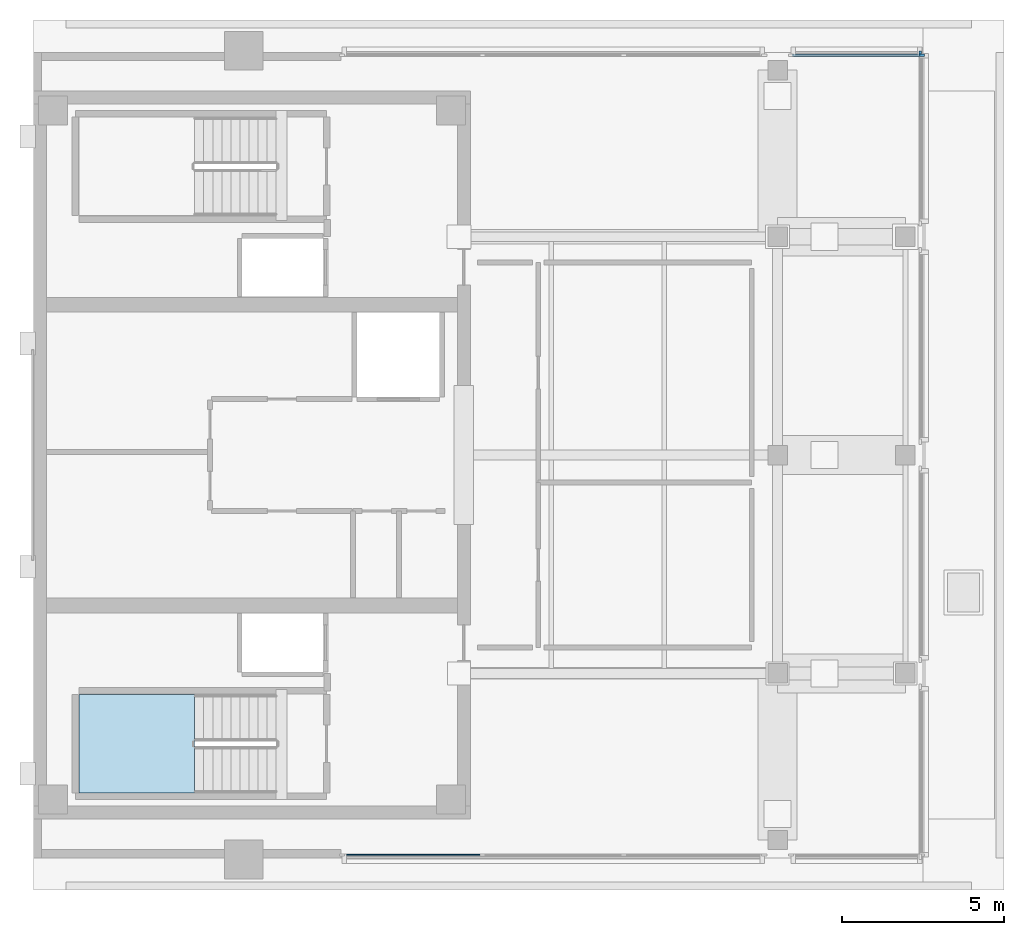
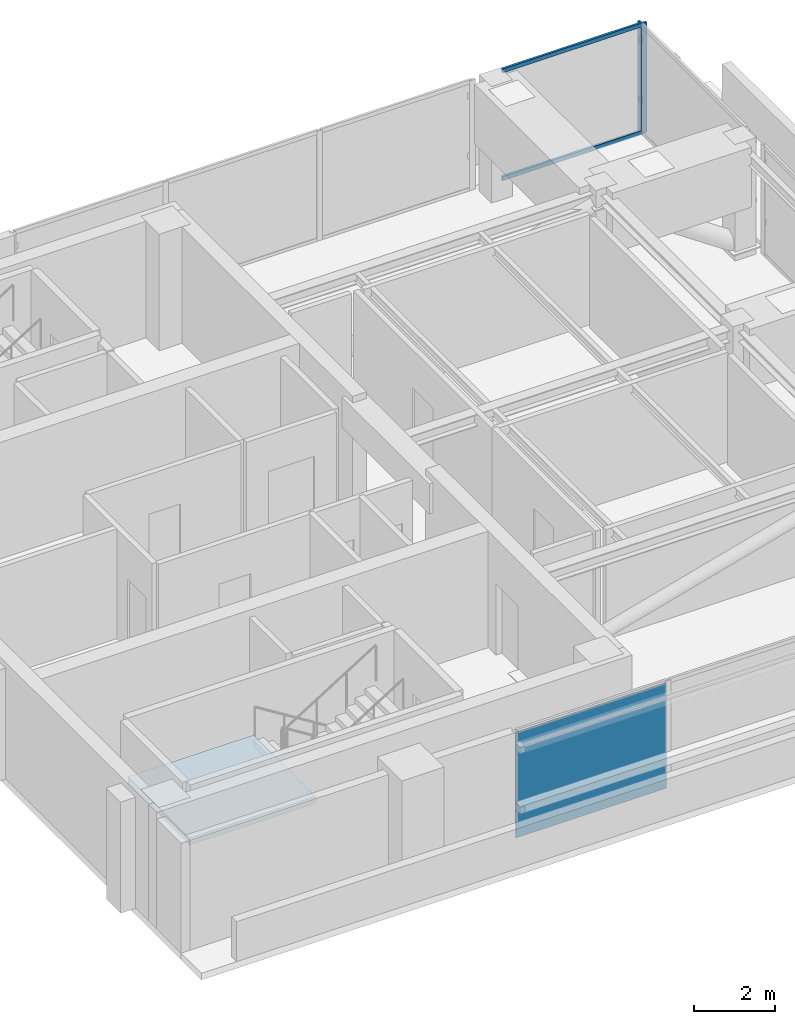
# One storey, part 3 of 9: 4 members, 1 plate, 1 slab, 4 elements without a shape of their own.
"""IFC4 building model written with IfcOpenShell, lengths in metres."""

from ifc_helpers import new_model, si_unit, direction, frame, origin, origin_2d, place, context, subcontext, project, spatial, polyline, rectangle, outline, extrude, material, layer, layer_set, material_profile, profile_set, type_object, element, aggregate, save


model = new_model("IFC4")

# Units and contexts
model_context = context("Model", 3, precision=1e-05, world=origin(), true_north=direction((0.0, 1.0)))
body_context = subcontext(model_context, "Body", "Model", "MODEL_VIEW")
ifc_project = project(units=[si_unit("LENGTHUNIT", "METRE"), si_unit("AREAUNIT", "SQUARE_METRE"), si_unit("VOLUMEUNIT", "CUBIC_METRE"), si_unit("PLANEANGLEUNIT", "RADIAN"), si_unit("MASSUNIT", "GRAM", prefix="KILO")], contexts=[model_context])

# Site, building, storey
site_placement = place(None, origin())
site = spatial("IfcSite", under=ifc_project, at=site_placement, CompositionType="ELEMENT")
building_placement = place(site_placement, origin())
building = spatial("IfcBuilding", under=site, at=building_placement, Name="Kinhvarn Gate Tower", CompositionType="ELEMENT")
storey_placement = place(building_placement, frame((0.0, 0.0, 318.050048828125)))
storey = spatial("IfcBuildingStorey", under=building, at=storey_placement, Name="L84", CompositionType="ELEMENT", Elevation=318.050048828125)

# Curtain wall, member
ifc_material_1 = material(Name="Anodised aluminium AW-6063", Category="aluminium")
ifc_layer_1 = layer(ifc_material_1, 0.199951171875)
ifc_layer_set_1 = layer_set([ifc_layer_1], Name="Anodised aluminium AW-6063")
curtain_wall_type = type_object("IfcCurtainWallType", Name="CW-SYS-6", PredefinedType="NOTDEFINED", material=ifc_layer_set_1)
curtain_wall_1_placement = place(storey_placement, origin())
curtain_wall_1 = element("IfcCurtainWall", 1, at=curtain_wall_1_placement, inside=storey, type_object=curtain_wall_type, Name="Curtain Wall CW6 (L84)", PredefinedType="NOTDEFINED")
ifc_material_profile_1 = material_profile(ifc_material_1, rectangle(XDim=0.06494140625, YDim=0.159912109375, at=origin_2d()), Name="ALU 65x160")
ifc_profile_set_1 = profile_set([ifc_material_profile_1], Name="Anodised aluminium AW-6063")
member_type_1 = type_object("IfcMemberType", Name="CW-MUL-160", PredefinedType="MULLION", material=ifc_profile_set_1)
member_1_placement = place(storey_placement, frame((31.967529296875, 37.610107421875, 0.0), z_axis=(0.0, 0.0, 1.0), x_axis=(0.0, -1.0, 0.0)))
member_1 = element("IfcMember", 2, at=member_1_placement, type_object=member_type_1, Name="CW6 mullion 1", PredefinedType="MULLION", context=body_context, shape_type="SweptSolid", body=[
    extrude(rectangle(XDim=0.06494140625, YDim=0.159912109375, at=origin_2d()), origin(), (0.0, 0.0, 1.0), 3.300048828125),
])

curtain_wall_2_placement = place(storey_placement, origin())
curtain_wall_2 = element("IfcCurtainWall", 3, at=curtain_wall_2_placement, inside=storey, type_object=curtain_wall_type, Name="Curtain Wall CW6 (L84)", PredefinedType="NOTDEFINED")
member_2_placement = place(storey_placement, frame((31.909912109375, 37.66748046875, 0.0), z_axis=(0.0, 0.0, 1.0), x_axis=(-1.0, 0.0, 0.0)))
member_2 = element("IfcMember", 4, at=member_2_placement, type_object=member_type_1, Name="CW6 mullion 2", PredefinedType="MULLION", context=body_context, shape_type="SweptSolid", body=[
    extrude(rectangle(XDim=0.06494140625, YDim=0.159912109375, at=origin_2d()), origin(), (0.0, 0.0, 1.0), 3.300048828125),
])
aggregate(curtain_wall_2, [member_2])

# Member
ifc_material_profile_2 = material_profile(ifc_material_1, rectangle(XDim=0.06494140625, YDim=0.1201171875, at=origin_2d()), Name="ALU 65x120")
ifc_profile_set_2 = profile_set([ifc_material_profile_2], Name="Anodised aluminium AW-6063")
member_type_2 = type_object("IfcMemberType", Name="CW-TRN-120", PredefinedType="USERDEFINED", material=ifc_profile_set_2)
member_3_placement = place(storey_placement, frame((31.93505859375, 37.610107421875, 0.032470703125), z_axis=(-1.0, 0.0, 0.0), x_axis=(0.0, -1.0, 0.0)))
member_3 = element("IfcMember", 5, at=member_3_placement, type_object=member_type_2, Name="CW6 transom 1.1", ObjectType="TRANSOM", PredefinedType="USERDEFINED", context=body_context, shape_type="SweptSolid", body=[
    extrude(rectangle(XDim=0.06494140625, YDim=0.1201171875, at=origin_2d()), origin(), (0.0, 0.0, 1.0), 3.989990234375),
])

member_4_placement = place(storey_placement, frame((31.93505859375, 37.610107421875, 3.267333984375), z_axis=(-1.0, 0.0, 0.0), x_axis=(0.0, -1.0, 0.0)))
member_4 = element("IfcMember", 6, at=member_4_placement, type_object=member_type_2, Name="CW6 transom 1.2", ObjectType="TRANSOM", PredefinedType="USERDEFINED", context=body_context, shape_type="SweptSolid", body=[
    extrude(rectangle(XDim=0.06494140625, YDim=0.1201171875, at=origin_2d()), origin(), (0.0, 0.0, 1.0), 3.989990234375),
])

aggregate(curtain_wall_1, [member_1, member_3, member_4])

# Curtain wall, plate
curtain_wall_3_placement = place(storey_placement, origin())
curtain_wall_3 = element("IfcCurtainWall", 7, at=curtain_wall_3_placement, inside=storey, type_object=curtain_wall_type, Name="Curtain Wall CW6 (L84)", PredefinedType="NOTDEFINED")
ifc_material_2 = material(Name="Clear low-e double glazing", Category="glass")
ifc_layer_2 = layer(ifc_material_2, 0.031982421875)
ifc_layer_set_2 = layer_set([ifc_layer_2], Name="Clear low-e double glazing")
plate_type = type_object("IfcPlateType", Name="CW-PNL-VIS", PredefinedType="CURTAIN_PANEL", material=ifc_layer_set_2)
plate_placement = place(storey_placement, frame((16.202880859375, 12.889892578125, 0.06494140625), z_axis=(0.0, 0.0, 1.0), x_axis=(1.0, 0.0, 0.0)))
plate = element("IfcPlate", 8, at=plate_placement, type_object=plate_type, Name="CW6 panel 1.1", PredefinedType="CURTAIN_PANEL", context=body_context, shape_type="SweptSolid", body=[
    extrude(rectangle(XDim=4.27587890625, YDim=0.031982421875, at=origin_2d()), origin(), (0.0, 0.0, 1.0), 3.169921875),
])
aggregate(curtain_wall_3, [plate])

# Stair, slab
ifc_material_3 = material(Name="Concrete C40/50", Category="concrete")
stair_type = type_object("IfcStairType", Name="STR-DLG-175", PredefinedType="HALF_TURN_STAIR", material=ifc_material_3)
stair_placement = place(storey_placement, origin())
stair = element("IfcStair", 9, at=stair_placement, inside=storey, type_object=stair_type, Name="L84 Core Smokeproof Exit Stair ST1", PredefinedType="HALF_TURN_STAIR")
ifc_layer_3 = layer(ifc_material_3, 0.199951171875)
ifc_layer_set_3 = layer_set([ifc_layer_3], Name="Concrete C40/50")
slab_type = type_object("IfcSlabType", Name="SLB-ST-LND", PredefinedType="LANDING", material=ifc_layer_set_3)
slab_placement = place(storey_placement, frame((0.0, 0.0, 1.550048828125)))
slab = element("IfcSlab", 10, at=slab_placement, type_object=slab_type, Name="ST1 landing 1", PredefinedType="LANDING", context=body_context, shape_type="SweptSolid", body=[
    extrude(outline(polyline([(9.47998046875, 17.85009765625), (5.89990234375, 17.85009765625), (5.89990234375, 14.800048828125), (9.47998046875, 14.800048828125), (9.47998046875, 17.85009765625)])), origin(), (0.0, 0.0, 1.0), 0.199951171875),
])
aggregate(stair, [slab])

save(model, "model.ifc")
